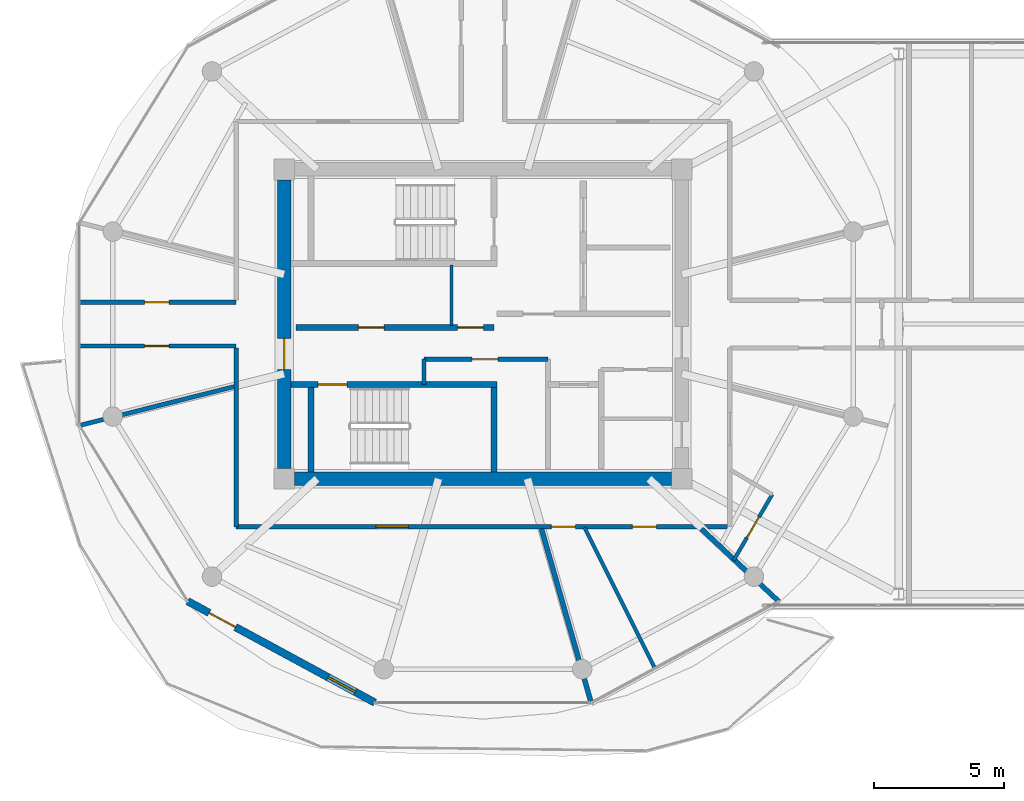
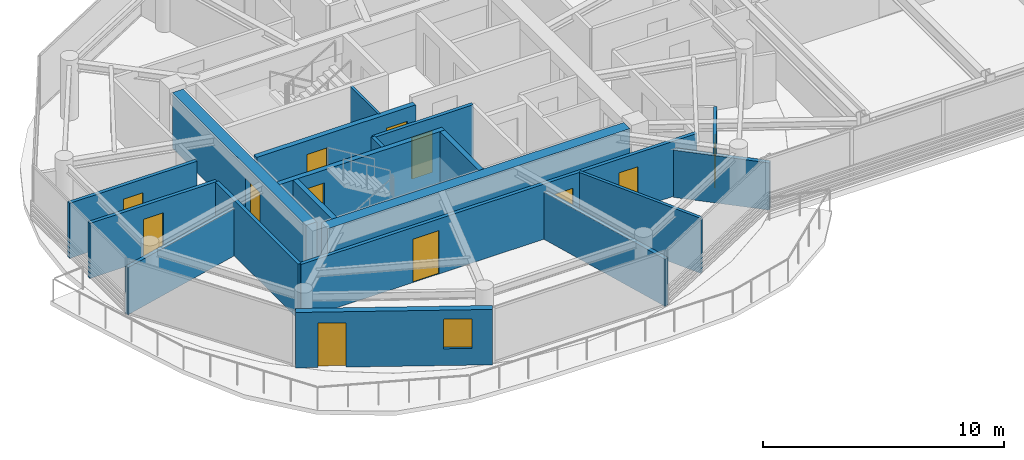
# One storey, part 14 of 23: 19 walls, 12 doors, 1 window, 13 openings.
"""IFC4 building model written with IfcOpenShell, lengths in metres."""

import ifcopenshell
import ifcopenshell.guid

model = None  # the IFC model being written
_history = None  # IfcOwnerHistory: only IFC2X3 demands one
_inside = {}  # id of a spatial element -> (the spatial element, [elements in it])
_under = {}  # id of a project, library or spatial element -> (it, [spatial elements below it])
_declared = {}  # id of a project -> (the project, [libraries it declares])
_typed = {}  # id of a type object -> (the type object, [elements of that type])
_made_of = {}  # id of a material, layer set ... -> (it, [elements and type objects made of it])


def new_model(schema):
    """Start an empty IFC model of exactly this schema.

    Asked for "IFC4X3", IfcOpenShell would pick the latest addendum, in which some entities
    have other attributes; the version numbers below select the first issue.
    IFC2X3 requires an IfcOwnerHistory on every rooted entity: one is made here for all.
    """
    global model, _history
    if schema == "IFC4X3":
        model = ifcopenshell.file(schema_version=(4, 3, 0, 0))
    else:
        model = ifcopenshell.file(schema=schema)
    _inside.clear()
    _under.clear()
    _declared.clear()
    _typed.clear()
    _made_of.clear()
    _history = None
    if model.schema == "IFC2X3":
        org = make("IfcOrganization", Name="unknown")
        user = make(
            "IfcPersonAndOrganization",
            ThePerson=make("IfcPerson", FamilyName="unknown"),
            TheOrganization=org,
        )
        app = make(
            "IfcApplication",
            ApplicationDeveloper=org,
            Version="unknown",
            ApplicationFullName="unknown",
            ApplicationIdentifier="unknown",
        )
        _history = make(
            "IfcOwnerHistory",
            OwningUser=user,
            OwningApplication=app,
            ChangeAction="ADDED",
            CreationDate=0,
        )
    return model


def make(cls, **values):
    """One entity of the class cls with the attributes given. An attribute that is None is left unset."""
    return model.create_entity(
        cls, **{name: value for name, value in values.items() if value is not None}
    )


def rooted(cls, **values):
    """An entity with a GlobalId (a new one), such as an element, a storey or a relation."""
    return make(cls, GlobalId=ifcopenshell.guid.new(), OwnerHistory=_history, **values)


def si_unit(unit_type, name, prefix=None):
    """IfcSIUnit, for example si_unit("LENGTHUNIT", "METRE", prefix="MILLI")."""
    return make("IfcSIUnit", UnitType=unit_type, Prefix=prefix, Name=name)


def assignment(units):
    """IfcUnitAssignment: the units of a project."""
    return None if units is None else make("IfcUnitAssignment", Units=units)


def point(xyz):
    """IfcCartesianPoint."""
    return None if xyz is None else make("IfcCartesianPoint", Coordinates=xyz)


def direction(xyz):
    """IfcDirection."""
    return None if xyz is None else make("IfcDirection", DirectionRatios=xyz)


def frame(location, z_axis=None, x_axis=None):
    """IfcAxis2Placement3D, a coordinate frame: its origin and axes. An axis left out is left unset."""
    return make(
        "IfcAxis2Placement3D",
        Location=point(location),
        Axis=direction(z_axis),
        RefDirection=direction(x_axis),
    )


def frame_2d(location, x_axis=None):
    """IfcAxis2Placement2D, a coordinate frame in the plane: its origin and x axis."""
    return make(
        "IfcAxis2Placement2D", Location=point(location), RefDirection=direction(x_axis)
    )


def origin():
    """The frame at (0, 0, 0) with its axes left unset."""
    return frame((0.0, 0.0, 0.0))


def place(relative_to, where):
    """IfcLocalPlacement: puts the frame where relative to a parent placement (None: the world)."""
    return make(
        "IfcLocalPlacement", PlacementRelTo=relative_to, RelativePlacement=where
    )


def context(
    kind, dimensions, precision=None, world=None, true_north=None, identifier=None
):
    """IfcGeometricRepresentationContext, for example the 3D "Model" context."""
    return make(
        "IfcGeometricRepresentationContext",
        ContextIdentifier=identifier,
        ContextType=kind,
        CoordinateSpaceDimension=dimensions,
        Precision=precision,
        WorldCoordinateSystem=world,
        TrueNorth=true_north,
    )


def subcontext(parent, identifier, kind, view, scale=None):
    """IfcGeometricRepresentationSubContext, for example "Body" below "Model"."""
    return make(
        "IfcGeometricRepresentationSubContext",
        ContextIdentifier=identifier,
        ContextType=kind,
        ParentContext=parent,
        TargetScale=scale,
        TargetView=view,
    )


def project(units=None, contexts=None):
    """IfcProject with its units and contexts."""
    return rooted(
        "IfcProject",
        Name="project",
        RepresentationContexts=contexts,
        UnitsInContext=assignment(units),
    )


def spatial(cls, under=None, at=None, **own):
    """A site, building, storey or space (cls), placed at a placement, below another one or the project."""
    s = rooted(cls, ObjectPlacement=at, **own)
    if under is not None:
        _under.setdefault(under.id(), (under, []))[1].append(s)
    return s


def profile(cls, at=None, kind="AREA", **sizes):
    """A parametric profile (cls). Its sizes go by their IFC names, for example OverallWidth=200.0."""
    return make(cls, ProfileType=kind, Position=at, **sizes)


def rectangle(**sizes):
    """IfcRectangleProfileDef."""
    return profile("IfcRectangleProfileDef", **sizes)


def extrude(swept, where, along, depth):
    """IfcExtrudedAreaSolid: the profile swept, set in the frame where, extruded along a direction by depth."""
    return make(
        "IfcExtrudedAreaSolid",
        SweptArea=swept,
        Position=where,
        ExtrudedDirection=direction(along),
        Depth=depth,
    )


def shape(context_of_items, identifier, shape_type, items):
    """IfcShapeRepresentation: the items that make up one representation, for example the "Body"."""
    return make(
        "IfcShapeRepresentation",
        ContextOfItems=context_of_items,
        RepresentationIdentifier=identifier,
        RepresentationType=shape_type,
        Items=items,
    )


def source(mapping_origin, context_of_items, identifier, shape_type, items):
    """IfcRepresentationMap: a shape defined once, which mapped items show again and again."""
    return make(
        "IfcRepresentationMap",
        MappingOrigin=mapping_origin,
        MappedRepresentation=shape(context_of_items, identifier, shape_type, items),
    )


def transform(
    local_origin,
    x_axis=None,
    y_axis=None,
    z_axis=None,
    scale=None,
    scale2=None,
    scale3=None,
    uniform=True,
):
    """IfcCartesianTransformationOperator3D, or its non-uniform kind. x_axis, y_axis, z_axis: its Axis1, 2, 3."""
    if uniform:
        return make(
            "IfcCartesianTransformationOperator3D",
            Axis1=direction(x_axis),
            Axis2=direction(y_axis),
            LocalOrigin=point(local_origin),
            Scale=scale,
            Axis3=direction(z_axis),
        )
    return make(
        "IfcCartesianTransformationOperator3DnonUniform",
        Axis1=direction(x_axis),
        Axis2=direction(y_axis),
        LocalOrigin=point(local_origin),
        Scale=scale,
        Axis3=direction(z_axis),
        Scale2=scale2,
        Scale3=scale3,
    )


def mapped(mapping_source, mapping_target):
    """IfcMappedItem: shows the shape of a source again, moved by a transform."""
    return make(
        "IfcMappedItem", MappingSource=mapping_source, MappingTarget=mapping_target
    )


def material(Name=None, Category=None):
    """IfcMaterial."""
    return make("IfcMaterial", Name=Name, Category=Category)


def layer(
    of_material, thickness, ventilated=None, Name=None, Category=None, Priority=None
):
    """IfcMaterialLayer: one layer of a wall or slab, of a material (None: an air gap)."""
    return make(
        "IfcMaterialLayer",
        Material=of_material,
        LayerThickness=thickness,
        IsVentilated=ventilated,
        Name=Name,
        Category=Category,
        Priority=Priority,
    )


def layer_set(layers, Name=None):
    """IfcMaterialLayerSet."""
    return make("IfcMaterialLayerSet", MaterialLayers=layers, LayerSetName=Name)


def made_of(thing, what):
    """Note that an element or type object is made of a material, layer set ...; save() writes the relation."""
    if what is not None:
        _made_of.setdefault(what.id(), (what, []))[1].append(thing)
    return thing


def type_object(cls, material=None, **own):
    """A type object (cls), such as IfcWallType, which elements share."""
    return made_of(rooted(cls, **own), material)


def type_shapes(of_type, sources):
    """Give a type object the sources (RepresentationMaps) that its elements show as mapped items."""
    of_type.RepresentationMaps = sources


def element(
    cls,
    number,
    at=None,
    inside=None,
    cuts=None,
    type_object=None,
    material=None,
    context=None,
    identifier="Body",
    shape_type=None,
    held_by="IfcProductDefinitionShape",
    body=None,
    shapes=None,
    **own,
):
    """One element of the class cls, such as IfcWall. Its Tag is "e" and its number.

    at: its placement. inside: the storey or other place that contains it. cuts: it is an
    opening in that element (IfcRelVoidsElement). A single representation is given by context,
    identifier, shape_type and body (its items); several are given by shapes. held_by: the class
    of the entity that holds the representations. save() writes the other relations.
    """
    e = rooted(cls, Tag="e%d" % number, ObjectPlacement=at, **own)
    if body is not None:
        shapes = [shape(context, identifier, shape_type, body)]
    if shapes is not None:
        e.Representation = make(held_by, Representations=shapes)
    if inside is not None:
        _inside.setdefault(inside.id(), (inside, []))[1].append(e)
    if cuts is not None:
        rooted(
            "IfcRelVoidsElement", RelatingBuildingElement=cuts, RelatedOpeningElement=e
        )
    if type_object is not None:
        _typed.setdefault(type_object.id(), (type_object, []))[1].append(e)
    return made_of(e, material)


def fill(opening, filler):
    """IfcRelFillsElement: the door or window that sits in an opening."""
    return rooted(
        "IfcRelFillsElement",
        RelatingOpeningElement=opening,
        RelatedBuildingElement=filler,
    )


def aggregate(whole, parts):
    """IfcRelAggregates: a whole, such as a stair, and the parts it consists of."""
    return rooted("IfcRelAggregates", RelatingObject=whole, RelatedObjects=parts)


def save(model, path):
    """Write the relations noted so far, then the file.

    IfcRelAggregates (storeys below a building ...), IfcRelContainedInSpatialStructure (elements
    in a storey), IfcRelDefinesByType, IfcRelAssociatesMaterial and IfcRelDeclares: one each for
    every whole, place, type object, material and project.
    """
    for whole, parts in _under.values():
        aggregate(whole, parts)
    for where, things in _inside.values():
        rooted(
            "IfcRelContainedInSpatialStructure",
            RelatedElements=things,
            RelatingStructure=where,
        )
    for kind, things in _typed.values():
        rooted("IfcRelDefinesByType", RelatedObjects=things, RelatingType=kind)
    for what, things in _made_of.values():
        rooted("IfcRelAssociatesMaterial", RelatedObjects=things, RelatingMaterial=what)
    for by, libraries in _declared.values():
        rooted("IfcRelDeclares", RelatingContext=by, RelatedDefinitions=libraries)
    model.write(path)


model = new_model("IFC4")

# Units and contexts
model_context = context("Model", 3, precision=1e-05, world=origin(), true_north=direction((0.0, 1.0)))
body_context = subcontext(model_context, "Body", "Model", "MODEL_VIEW")
ifc_project = project(units=[si_unit("LENGTHUNIT", "METRE"), si_unit("AREAUNIT", "SQUARE_METRE"), si_unit("VOLUMEUNIT", "CUBIC_METRE"), si_unit("PLANEANGLEUNIT", "RADIAN"), si_unit("MASSUNIT", "GRAM", prefix="KILO")], contexts=[model_context])

# Site, building, storey
site_placement = place(None, origin())
site = spatial("IfcSite", under=ifc_project, at=site_placement, CompositionType="ELEMENT")
building_placement = place(site_placement, origin())
building = spatial("IfcBuilding", under=site, at=building_placement, Name="Norrkilde Senior Care Towers", CompositionType="ELEMENT")
storey_placement = place(building_placement, frame((0.0, 0.0, 229.14990234375)))
storey = spatial("IfcBuildingStorey", under=building, at=storey_placement, Name="L71", CompositionType="ELEMENT", Elevation=229.14990234375)

# Wall
ifc_material_1 = material(Name="Concrete C50/60", Category="concrete")
ifc_layer_1 = layer(ifc_material_1, 0.52001953125)
ifc_layer_set_1 = layer_set([ifc_layer_1], Name="Concrete C50/60")
wall_type_1 = type_object("IfcWallType", Name="Core Shear Wall Z4 520", PredefinedType="SHEAR", material=ifc_layer_set_1)
shared_shape_1 = source(origin(), body_context, "Body", "SweptSolid", [
    extrude(rectangle(XDim=14.5, YDim=0.52001953125, at=frame_2d((7.25, 0.0))), origin(), (0.0, 0.0, 1.0), 2.81005859375),
])
wall_1_placement = place(storey_placement, frame((-20.75, -5.949951171875, 0.0), z_axis=(0.0, 0.0, 1.0), x_axis=(-1.0, 0.0, 0.0)))
element("IfcWall", 1, at=wall_1_placement, inside=storey, type_object=wall_type_1, Name="L71 Core W South Shear Wall", PredefinedType="SHEAR", context=body_context, shape_type="MappedRepresentation", body=[
    mapped(shared_shape_1, transform((0.0, 0.0, 0.0), x_axis=(1.0, 0.0, 0.0), y_axis=(0.0, 1.0, 0.0), z_axis=(0.0, 0.0, 1.0), scale=1.0)),
])

# Wall, opening, door
shared_shape_2 = source(origin(), body_context, "Body", "SweptSolid", [
    extrude(rectangle(XDim=11.10009765625, YDim=0.52001953125, at=frame_2d((5.550048828125, 0.0))), origin(), (0.0, 0.0, 1.0), 2.81005859375),
])
type_shapes(wall_type_1, [shared_shape_1, shared_shape_2])
wall_2_placement = place(storey_placement, frame((-35.64990234375, -5.550048828125, 0.0), z_axis=(0.0, 0.0, 1.0), x_axis=(0.0, 1.0, 0.0)))
wall_2 = element("IfcWall", 2, at=wall_2_placement, inside=storey, type_object=wall_type_1, Name="L71 Core W West Shear Wall", PredefinedType="SHEAR", context=body_context, shape_type="MappedRepresentation", body=[
    mapped(shared_shape_2, transform((0.0, 0.0, 0.0), x_axis=(1.0, 0.0, 0.0), y_axis=(0.0, 1.0, 0.0), z_axis=(0.0, 0.0, 1.0), scale=1.0)),
])
opening_1_placement = place(wall_2_placement, frame((3.800048828125, 0.0, 0.0)))
opening_1 = element("IfcOpeningElement", 3, at=opening_1_placement, cuts=wall_2, Name="Opening D-04", PredefinedType="OPENING", context=body_context, shape_type="SweptSolid", body=[
    extrude(rectangle(XDim=1.199951171875, YDim=2.14990234375, at=frame_2d((0.60009765625, 1.074951171875))), frame((0.0, 0.27001953125, 0.0), z_axis=(0.0, -1.0, 0.0), x_axis=(1.0, 0.0, 0.0)), (0.0, 0.0, 1.0), 0.5400390625),
])
ifc_material_2 = material(Name="Galvanised Painted Steel", Category="steel")
door_type_1 = type_object("IfcDoorType", Name="Firefighting Lobby Fire Door 1200x2150", OperationType="NOTDEFINED", PredefinedType="DOOR", material=ifc_material_2)
shared_shape_3 = source(origin(), body_context, "Body", "SweptSolid", [
    extrude(rectangle(XDim=1.199951171875, YDim=2.14990234375, at=frame_2d((0.60009765625, 1.074951171875))), frame((0.0, 0.02490234375, 0.0), z_axis=(0.0, -1.0, 0.0), x_axis=(1.0, 0.0, 0.0)), (0.0, 0.0, 1.0), 0.050048828125),
])
type_shapes(door_type_1, [shared_shape_3])
door_1_placement = place(opening_1_placement, frame((1.199951171875, 0.0, 0.0), z_axis=(0.0, 0.0, 1.0), x_axis=(-1.0, 0.0, 0.0)))
door_1 = element("IfcDoor", 4, at=door_1_placement, inside=storey, type_object=door_type_1, Name="L71 Core W West Portal Door", OperationType="SINGLE_SWING_LEFT", OverallHeight=2.14990234375, OverallWidth=1.199951171875, PredefinedType="DOOR", context=body_context, shape_type="MappedRepresentation", body=[
    mapped(shared_shape_3, transform((0.0, 0.0, 0.0), x_axis=(1.0, 0.0, 0.0), y_axis=(0.0, 1.0, 0.0), z_axis=(0.0, 0.0, 1.0), scale=1.0)),
])
fill(opening_1, door_1)

# Wall, openings, door, window
ifc_material_3 = material(Name="Precast concrete C45/55", Category="concrete")
ifc_layer_2 = layer(ifc_material_3, 0.2900390625)
ifc_layer_set_2 = layer_set([ifc_layer_2], Name="Precast concrete C45/55")
wall_type_2 = type_object("IfcWallType", Name="Winter Garden Facade Wall 290", PredefinedType="SOLIDWALL", material=ifc_layer_set_2)
shared_shape_4 = source(origin(), body_context, "Body", "SweptSolid", [
    extrude(rectangle(XDim=8.197265625, YDim=0.2900390625, at=frame_2d((4.0986328125, 0.0))), origin(), (0.0, 0.0, 1.0), 2.81005859375),
])
type_shapes(wall_type_2, [shared_shape_4])
wall_3_placement = place(storey_placement, frame((-32.161865234375, -14.566162109375, 0.0), z_axis=(0.0, 0.0, 1.0), x_axis=(-0.879369910001, 0.476139224791, 0.0)))
wall_3 = element("IfcWall", 5, at=wall_3_placement, inside=storey, type_object=wall_type_2, Name="L71 Drum W Balcony Access Wall 07", PredefinedType="SOLIDWALL", context=body_context, shape_type="MappedRepresentation", body=[
    mapped(shared_shape_4, transform((0.0, 0.0, 0.0), x_axis=(1.0, 0.0, 0.0), y_axis=(0.0, 1.0, 0.0), z_axis=(0.0, 0.0, 1.0), scale=1.0)),
])
opening_2_placement = place(wall_3_placement, frame((6.10009765625, 0.0, 0.0)))
opening_2 = element("IfcOpeningElement", 6, at=opening_2_placement, cuts=wall_3, Name="Opening D-09", PredefinedType="OPENING", context=body_context, shape_type="SweptSolid", body=[
    extrude(rectangle(XDim=1.14990234375, YDim=2.25, at=frame_2d((0.574951171875, 1.125))), frame((0.0, 0.155029296875, 0.0), z_axis=(0.0, -1.0, 0.0), x_axis=(1.0, 0.0, 0.0)), (0.0, 0.0, 1.0), 0.31005859375),
])
opening_3_placement = place(wall_3_placement, frame((0.85009765625, 0.0, 0.85009765625)))
opening_3 = element("IfcOpeningElement", 7, at=opening_3_placement, cuts=wall_3, Name="Opening WN-07", PredefinedType="OPENING", context=body_context, shape_type="SweptSolid", body=[
    extrude(rectangle(XDim=1.199951171875, YDim=1.5, at=frame_2d((0.60009765625, 0.75))), frame((0.0, 0.155029296875, 0.0), z_axis=(0.0, -1.0, 0.0), x_axis=(1.0, 0.0, 0.0)), (0.0, 0.0, 1.0), 0.31005859375),
])
ifc_material_4 = material(Name="Anodised Aluminium", Category="aluminium")
door_type_2 = type_object("IfcDoorType", Name="Terrace and Balcony Glazed Door 1150x2250", OperationType="NOTDEFINED", PredefinedType="DOOR", material=ifc_material_4)
shared_shape_5 = source(origin(), body_context, "Body", "SweptSolid", [
    extrude(rectangle(XDim=1.14990234375, YDim=2.25, at=frame_2d((0.574951171875, 1.125))), frame((0.0, 0.02490234375, 0.0), z_axis=(0.0, -1.0, 0.0), x_axis=(1.0, 0.0, 0.0)), (0.0, 0.0, 1.0), 0.050048828125),
])
type_shapes(door_type_2, [shared_shape_5])
door_2_placement = place(opening_2_placement, origin())
door_2 = element("IfcDoor", 8, at=door_2_placement, inside=storey, type_object=door_type_2, Name="L71 Drum W Outdoor Terrace Door 07", OperationType="SINGLE_SWING_RIGHT", OverallHeight=2.25, OverallWidth=1.14990234375, PredefinedType="DOOR", context=body_context, shape_type="MappedRepresentation", body=[
    mapped(shared_shape_5, transform((0.0, 0.0, 0.0), x_axis=(1.0, 0.0, 0.0), y_axis=(0.0, 1.0, 0.0), z_axis=(0.0, 0.0, 1.0), scale=1.0)),
])
fill(opening_2, door_2)
ifc_material_5 = material(Name="Triple Low-E Insulated Glazing", Category="glass")
window_type = type_object("IfcWindowType", Name="Stairwell Smoke Vent Window 1200x1500", PartitioningType="SINGLE_PANEL", PredefinedType="WINDOW", material=ifc_material_5)
shared_shape_6 = source(origin(), body_context, "Body", "SweptSolid", [
    extrude(rectangle(XDim=1.199951171875, YDim=1.5, at=frame_2d((0.60009765625, 0.75))), frame((0.0, 0.030029296875, 0.0), z_axis=(0.0, -1.0, 0.0), x_axis=(1.0, 0.0, 0.0)), (0.0, 0.0, 1.0), 0.06005859375),
])
type_shapes(window_type, [shared_shape_6])
window_placement = place(opening_3_placement, origin())
window = element("IfcWindow", 9, at=window_placement, inside=storey, type_object=window_type, Name="L71 Drum W Winter Garden Window 07", OverallHeight=1.5, OverallWidth=1.199951171875, PartitioningType="SINGLE_PANEL", PredefinedType="WINDOW", context=body_context, shape_type="MappedRepresentation", body=[
    mapped(shared_shape_6, transform((0.0, 0.0, 0.0), x_axis=(1.0, 0.0, 0.0), y_axis=(0.0, 1.0, 0.0), z_axis=(0.0, 0.0, 1.0), scale=1.0)),
])
fill(opening_3, window)

# Wall, openings, doors
ifc_material_6 = material(Name="Concrete C45/55", Category="concrete")
ifc_layer_3 = layer(ifc_material_6, 0.239990234375)
ifc_layer_set_3 = layer_set([ifc_layer_3], Name="Concrete C45/55")
wall_type_3 = type_object("IfcWallType", Name="Lift and Plant Rated Enclosure Partition 240", PredefinedType="PARTITIONING", material=ifc_layer_set_3)
shared_shape_7 = source(origin(), body_context, "Body", "SweptSolid", [
    extrude(rectangle(XDim=7.619873046875, YDim=0.239990234375, at=frame_2d((3.81005859375, 0.0))), origin(), (0.0, 0.0, 1.0), 2.795166015625),
])
type_shapes(wall_type_3, [shared_shape_7])
wall_4_placement = place(storey_placement, frame((-35.199951171875, -0.1298828125, 0.0), z_axis=(0.0, 0.0, 1.0), x_axis=(1.0, 0.0, 0.0)))
wall_4 = element("IfcWall", 10, at=wall_4_placement, inside=storey, type_object=wall_type_3, Name="WL-INT-L71-W-PKAS", PredefinedType="PARTITIONING", context=body_context, shape_type="MappedRepresentation", body=[
    mapped(shared_shape_7, transform((0.0, 0.0, 0.0), x_axis=(1.0, 0.0, 0.0), y_axis=(0.0, 1.0, 0.0), z_axis=(0.0, 0.0, 1.0), scale=1.0)),
])
opening_4_placement = place(wall_4_placement, frame((6.219970703125, 0.0, 0.0)))
opening_4 = element("IfcOpeningElement", 11, at=opening_4_placement, cuts=wall_4, Name="Opening D-10", PredefinedType="OPENING", context=body_context, shape_type="SweptSolid", body=[
    extrude(rectangle(XDim=1.0, YDim=2.10009765625, at=frame_2d((0.5, 1.050048828125))), frame((0.0, 0.1298828125, 0.0), z_axis=(0.0, -1.0, 0.0), x_axis=(1.0, 0.0, 0.0)), (0.0, 0.0, 1.0), 0.260009765625),
])
opening_5_placement = place(wall_4_placement, frame((2.39990234375, 0.0, 0.0)))
opening_5 = element("IfcOpeningElement", 12, at=opening_5_placement, cuts=wall_4, Name="Opening D-10", PredefinedType="OPENING", context=body_context, shape_type="SweptSolid", body=[
    extrude(rectangle(XDim=1.0, YDim=2.10009765625, at=frame_2d((0.5, 1.050048828125))), frame((0.0, 0.1298828125, 0.0), z_axis=(0.0, -1.0, 0.0), x_axis=(1.0, 0.0, 0.0)), (0.0, 0.0, 1.0), 0.260009765625),
])
door_type_3 = type_object("IfcDoorType", Name="Plant and Riser Rated Door 1000x2100", OperationType="NOTDEFINED", PredefinedType="DOOR", material=ifc_material_2)
shared_shape_8 = source(origin(), body_context, "Body", "SweptSolid", [
    extrude(rectangle(XDim=1.0, YDim=2.10009765625, at=frame_2d((0.5, 1.050048828125))), frame((0.0, 0.02490234375, 0.0), z_axis=(0.0, -1.0, 0.0), x_axis=(1.0, 0.0, 0.0)), (0.0, 0.0, 1.0), 0.050048828125),
])
type_shapes(door_type_3, [shared_shape_8])
door_3_placement = place(opening_4_placement, frame((1.0, 0.0, 0.0), z_axis=(0.0, 0.0, 1.0), x_axis=(-1.0, 0.0, 0.0)))
door_3 = element("IfcDoor", 13, at=door_3_placement, inside=storey, type_object=door_type_3, Name="L71 Electrical Riser W Door", OperationType="SINGLE_SWING_LEFT", OverallHeight=2.10009765625, OverallWidth=1.0, PredefinedType="DOOR", context=body_context, shape_type="MappedRepresentation", body=[
    mapped(shared_shape_8, transform((0.0, 0.0, 0.0), x_axis=(1.0, 0.0, 0.0), y_axis=(0.0, 1.0, 0.0), z_axis=(0.0, 0.0, 1.0), scale=1.0)),
])
fill(opening_4, door_3)
door_4_placement = place(opening_5_placement, frame((1.0, 0.0, 0.0), z_axis=(0.0, 0.0, 1.0), x_axis=(-1.0, 0.0, 0.0)))
door_4 = element("IfcDoor", 14, at=door_4_placement, inside=storey, type_object=door_type_3, Name="L71 Clean Supply Store W Door", OperationType="SINGLE_SWING_LEFT", OverallHeight=2.10009765625, OverallWidth=1.0, PredefinedType="DOOR", context=body_context, shape_type="MappedRepresentation", body=[
    mapped(shared_shape_8, transform((0.0, 0.0, 0.0), x_axis=(1.0, 0.0, 0.0), y_axis=(0.0, 1.0, 0.0), z_axis=(0.0, 0.0, 1.0), scale=1.0)),
])
fill(opening_5, door_4)

# Wall
ifc_material_7 = material(Name="Gypsum Acoustic Board")
ifc_layer_4 = layer(ifc_material_7, 0.114990234375)
ifc_layer_set_4 = layer_set([ifc_layer_4], Name="Gypsum Acoustic Board")
wall_type_4 = type_object("IfcWallType", Name="Internal Room Partition 115", PredefinedType="PARTITIONING", material=ifc_layer_set_4)
shared_shape_9 = source(origin(), body_context, "Body", "SweptSolid", [
    extrude(rectangle(XDim=2.330078125, YDim=0.114990234375, at=frame_2d((1.1650390625, 0.0))), origin(), (0.0, 0.0, 1.0), 2.795166015625),
])
type_shapes(wall_type_4, [shared_shape_9])
wall_5_placement = place(storey_placement, frame((-29.2099609375, -0.050048828125, 0.0), z_axis=(0.0, 0.0, 1.0), x_axis=(0.0, 1.0, 0.0)))
element("IfcWall", 15, at=wall_5_placement, inside=storey, type_object=wall_type_4, Name="WL-INT-L71-W-RISW", PredefinedType="PARTITIONING", context=body_context, shape_type="MappedRepresentation", body=[
    mapped(shared_shape_9, transform((0.0, 0.0, 0.0), x_axis=(1.0, 0.0, 0.0), y_axis=(0.0, 1.0, 0.0), z_axis=(0.0, 0.0, 1.0), scale=1.0)),
])

# Wall, openings, doors
ifc_layer_5 = layer(ifc_material_7, 0.1650390625)
ifc_layer_set_5 = layer_set([ifc_layer_5], Name="Gypsum Acoustic Board")
wall_type_5 = type_object("IfcWallType", Name="Corridor Rated Partition 165", PredefinedType="PARTITIONING", material=ifc_layer_set_5)
shared_shape_10 = source(origin(), body_context, "Body", "SweptSolid", [
    extrude(rectangle(XDim=19.0, YDim=0.1650390625, at=frame_2d((9.5, 0.0))), origin(), (0.0, 0.0, 1.0), 2.795166015625),
])
wall_6_placement = place(storey_placement, frame((-18.5, -7.800048828125, 0.0), z_axis=(0.0, 0.0, 1.0), x_axis=(-1.0, 0.0, 0.0)))
wall_6 = element("IfcWall", 16, at=wall_6_placement, inside=storey, type_object=wall_type_5, Name="WL-INT-L71-W-CRW-S-0", PredefinedType="PARTITIONING", context=body_context, shape_type="MappedRepresentation", body=[
    mapped(shared_shape_10, transform((0.0, 0.0, 0.0), x_axis=(1.0, 0.0, 0.0), y_axis=(0.0, 1.0, 0.0), z_axis=(0.0, 0.0, 1.0), scale=1.0)),
])
opening_6_placement = place(wall_6_placement, frame((12.373291015625, 0.0, 0.0)))
opening_6 = element("IfcOpeningElement", 17, at=opening_6_placement, cuts=wall_6, Name="Opening D-05", PredefinedType="OPENING", context=body_context, shape_type="SweptSolid", body=[
    extrude(rectangle(XDim=1.25, YDim=2.199951171875, at=frame_2d((0.625, 1.10009765625))), frame((0.0, 0.092529296875, 0.0), z_axis=(0.0, -1.0, 0.0), x_axis=(1.0, 0.0, 0.0)), (0.0, 0.0, 1.0), 0.18505859375),
])
opening_7_placement = place(wall_6_placement, frame((5.94580078125, 0.0, 0.0)))
opening_7 = element("IfcOpeningElement", 18, at=opening_7_placement, cuts=wall_6, Name="Opening D-08", PredefinedType="OPENING", context=body_context, shape_type="SweptSolid", body=[
    extrude(rectangle(XDim=0.919921875, YDim=2.10009765625, at=frame_2d((0.4599609375, 1.050048828125))), frame((0.0, 0.092529296875, 0.0), z_axis=(0.0, -1.0, 0.0), x_axis=(1.0, 0.0, 0.0)), (0.0, 0.0, 1.0), 0.18505859375),
])
opening_8_placement = place(wall_6_placement, frame((2.830322265625, 0.0, 0.0)))
opening_8 = element("IfcOpeningElement", 19, at=opening_8_placement, cuts=wall_6, Name="Opening D-08", PredefinedType="OPENING", context=body_context, shape_type="SweptSolid", body=[
    extrude(rectangle(XDim=0.919921875, YDim=2.10009765625, at=frame_2d((0.4599609375, 1.050048828125))), frame((0.0, 0.092529296875, 0.0), z_axis=(0.0, -1.0, 0.0), x_axis=(1.0, 0.0, 0.0)), (0.0, 0.0, 1.0), 0.18505859375),
])
ifc_material_8 = material(Name="Nordic Ash Timber", Category="wood")
door_type_4 = type_object("IfcDoorType", Name="Care Bedroom Bariatric Door 1250x2200", OperationType="NOTDEFINED", PredefinedType="DOOR", material=ifc_material_8)
shared_shape_11 = source(origin(), body_context, "Body", "SweptSolid", [
    extrude(rectangle(XDim=1.25, YDim=2.199951171875, at=frame_2d((0.625, 1.10009765625))), frame((0.0, 0.02490234375, 0.0), z_axis=(0.0, -1.0, 0.0), x_axis=(1.0, 0.0, 0.0)), (0.0, 0.0, 1.0), 0.050048828125),
])
type_shapes(door_type_4, [shared_shape_11])
door_5_placement = place(opening_6_placement, frame((1.25, 0.0, 0.0), z_axis=(0.0, 0.0, 1.0), x_axis=(-1.0, 0.0, 0.0)))
door_5 = element("IfcDoor", 20, at=door_5_placement, inside=storey, type_object=door_type_4, Name="L71 Resident Therapeutic Day Lounge Door", OperationType="SINGLE_SWING_LEFT", OverallHeight=2.199951171875, OverallWidth=1.25, PredefinedType="DOOR", context=body_context, shape_type="MappedRepresentation", body=[
    mapped(shared_shape_11, transform((0.0, 0.0, 0.0), x_axis=(1.0, 0.0, 0.0), y_axis=(0.0, 1.0, 0.0), z_axis=(0.0, 0.0, 1.0), scale=1.0)),
])
fill(opening_6, door_5)
door_type_5 = type_object("IfcDoorType", Name="Accessible Wet Room Door 920x2100", OperationType="NOTDEFINED", PredefinedType="DOOR", material=ifc_material_8)
shared_shape_12 = source(origin(), body_context, "Body", "SweptSolid", [
    extrude(rectangle(XDim=0.919921875, YDim=2.10009765625, at=frame_2d((0.4599609375, 1.050048828125))), frame((0.0, 0.02490234375, 0.0), z_axis=(0.0, -1.0, 0.0), x_axis=(1.0, 0.0, 0.0)), (0.0, 0.0, 1.0), 0.050048828125),
])
type_shapes(door_type_5, [shared_shape_12])
door_6_placement = place(opening_7_placement, frame((0.919921875, 0.0, 0.0), z_axis=(0.0, 0.0, 1.0), x_axis=(-1.0, 0.0, 0.0)))
door_6 = element("IfcDoor", 21, at=door_6_placement, inside=storey, type_object=door_type_5, Name="L71 Accessible Restroom Door", OperationType="SINGLE_SWING_RIGHT", OverallHeight=2.10009765625, OverallWidth=0.919921875, PredefinedType="DOOR", context=body_context, shape_type="MappedRepresentation", body=[
    mapped(shared_shape_12, transform((0.0, 0.0, 0.0), x_axis=(1.0, 0.0, 0.0), y_axis=(0.0, 1.0, 0.0), z_axis=(0.0, 0.0, 1.0), scale=1.0)),
])
fill(opening_7, door_6)
door_7_placement = place(opening_8_placement, frame((0.919921875, 0.0, 0.0), z_axis=(0.0, 0.0, 1.0), x_axis=(-1.0, 0.0, 0.0)))
door_7 = element("IfcDoor", 22, at=door_7_placement, inside=storey, type_object=door_type_5, Name="L71 Public Restroom Door", OperationType="SINGLE_SWING_LEFT", OverallHeight=2.10009765625, OverallWidth=0.919921875, PredefinedType="DOOR", context=body_context, shape_type="MappedRepresentation", body=[
    mapped(shared_shape_12, transform((0.0, 0.0, 0.0), x_axis=(1.0, 0.0, 0.0), y_axis=(0.0, 1.0, 0.0), z_axis=(0.0, 0.0, 1.0), scale=1.0)),
])
fill(opening_8, door_7)

# Wall
shared_shape_13 = source(origin(), body_context, "Body", "SweptSolid", [
    extrude(rectangle(XDim=6.880126953125, YDim=0.1650390625, at=frame_2d((3.43994140625, 0.0))), origin(), (0.0, 0.0, 1.0), 2.795166015625),
])
wall_7_placement = place(storey_placement, frame((-37.5, -7.800048828125, 0.0), z_axis=(0.0, 0.0, 1.0), x_axis=(0.0, 1.0, 0.0)))
element("IfcWall", 23, at=wall_7_placement, inside=storey, type_object=wall_type_5, Name="WL-INT-L71-W-CRW-W-0", PredefinedType="PARTITIONING", context=body_context, shape_type="MappedRepresentation", body=[
    mapped(shared_shape_13, transform((0.0, 0.0, 0.0), x_axis=(1.0, 0.0, 0.0), y_axis=(0.0, 1.0, 0.0), z_axis=(0.0, 0.0, 1.0), scale=1.0)),
])

# Wall, opening, door
shared_shape_14 = source(origin(), body_context, "Body", "SweptSolid", [
    extrude(rectangle(XDim=4.77001953125, YDim=0.1650390625, at=frame_2d((2.385009765625, 0.0))), origin(), (0.0, 0.0, 1.0), 2.795166015625),
])
wall_8_placement = place(storey_placement, frame((-30.27001953125, -1.35009765625, 0.0), z_axis=(0.0, 0.0, 1.0), x_axis=(1.0, 0.0, 0.0)))
wall_8 = element("IfcWall", 24, at=wall_8_placement, inside=storey, type_object=wall_type_5, Name="WL-INT-L71-W-FR2N", PredefinedType="PARTITIONING", context=body_context, shape_type="MappedRepresentation", body=[
    mapped(shared_shape_14, transform((0.0, 0.0, 0.0), x_axis=(1.0, 0.0, 0.0), y_axis=(0.0, 1.0, 0.0), z_axis=(0.0, 0.0, 1.0), scale=1.0)),
])
opening_9_placement = place(wall_8_placement, frame((1.85009765625, 0.0, 0.0)))
opening_9 = element("IfcOpeningElement", 25, at=opening_9_placement, cuts=wall_8, Name="Opening D-10", PredefinedType="OPENING", context=body_context, shape_type="SweptSolid", body=[
    extrude(rectangle(XDim=1.0, YDim=2.10009765625, at=frame_2d((0.5, 1.050048828125))), frame((0.0, 0.092529296875, 0.0), z_axis=(0.0, -1.0, 0.0), x_axis=(1.0, 0.0, 0.0)), (0.0, 0.0, 1.0), 0.18505859375),
])
door_8_placement = place(opening_9_placement, origin())
door_8 = element("IfcDoor", 26, at=door_8_placement, inside=storey, type_object=door_type_3, Name="L71 Core Pantry W Door", OperationType="SINGLE_SWING_RIGHT", OverallHeight=2.10009765625, OverallWidth=1.0, PredefinedType="DOOR", context=body_context, shape_type="MappedRepresentation", body=[
    mapped(shared_shape_8, transform((0.0, 0.0, 0.0), x_axis=(1.0, 0.0, 0.0), y_axis=(0.0, 1.0, 0.0), z_axis=(0.0, 0.0, 1.0), scale=1.0)),
])
fill(opening_9, door_8)

# Wall
shared_shape_15 = source(origin(), body_context, "Body", "SweptSolid", [
    extrude(rectangle(XDim=0.97998046875, YDim=0.1650390625, at=frame_2d((0.489990234375, 0.0))), origin(), (0.0, 0.0, 1.0), 2.795166015625),
])
wall_9_placement = place(storey_placement, frame((-30.27001953125, -2.330078125, 0.0), z_axis=(0.0, 0.0, 1.0), x_axis=(0.0, 1.0, 0.0)))
element("IfcWall", 27, at=wall_9_placement, inside=storey, type_object=wall_type_5, Name="WL-INT-L71-W-FR2W", PredefinedType="PARTITIONING", context=body_context, shape_type="MappedRepresentation", body=[
    mapped(shared_shape_15, transform((0.0, 0.0, 0.0), x_axis=(1.0, 0.0, 0.0), y_axis=(0.0, 1.0, 0.0), z_axis=(0.0, 0.0, 1.0), scale=1.0)),
])

# Wall, opening, door
ifc_layer_6 = layer(ifc_material_6, 0.239990234375)
ifc_layer_set_6 = layer_set([ifc_layer_6], Name="Concrete C45/55")
wall_type_6 = type_object("IfcWallType", Name="Shaft and Stair Enclosure Wall 240", PredefinedType="PARTITIONING", material=ifc_layer_set_6)
shared_shape_16 = source(origin(), body_context, "Body", "SweptSolid", [
    extrude(rectangle(XDim=7.929931640625, YDim=0.239990234375, at=frame_2d((3.96484375, 0.0))), origin(), (0.0, 0.0, 1.0), 2.81005859375),
])
wall_10_placement = place(storey_placement, frame((-35.389892578125, -2.330078125, 0.0), z_axis=(0.0, 0.0, 1.0), x_axis=(1.0, 0.0, 0.0)))
wall_10 = element("IfcWall", 28, at=wall_10_placement, inside=storey, type_object=wall_type_6, Name="WL-INT-L71-W-ST2N", PredefinedType="PARTITIONING", context=body_context, shape_type="MappedRepresentation", body=[
    mapped(shared_shape_16, transform((0.0, 0.0, 0.0), x_axis=(1.0, 0.0, 0.0), y_axis=(0.0, 1.0, 0.0), z_axis=(0.0, 0.0, 1.0), scale=1.0)),
])
opening_10_placement = place(wall_10_placement, frame((1.050048828125, 0.0, 0.0)))
opening_10 = element("IfcOpeningElement", 29, at=opening_10_placement, cuts=wall_10, Name="Opening D-03", PredefinedType="OPENING", context=body_context, shape_type="SweptSolid", body=[
    extrude(rectangle(XDim=1.10009765625, YDim=2.14990234375, at=frame_2d((0.550048828125, 1.074951171875))), frame((0.0, 0.1298828125, 0.0), z_axis=(0.0, -1.0, 0.0), x_axis=(1.0, 0.0, 0.0)), (0.0, 0.0, 1.0), 0.260009765625),
])
door_type_6 = type_object("IfcDoorType", Name="Stairwell Protected Fire Door 1100x2150", OperationType="NOTDEFINED", PredefinedType="DOOR", material=ifc_material_2)
shared_shape_17 = source(origin(), body_context, "Body", "SweptSolid", [
    extrude(rectangle(XDim=1.10009765625, YDim=2.14990234375, at=frame_2d((0.550048828125, 1.074951171875))), frame((0.0, 0.02490234375, 0.0), z_axis=(0.0, -1.0, 0.0), x_axis=(1.0, 0.0, 0.0)), (0.0, 0.0, 1.0), 0.050048828125),
])
type_shapes(door_type_6, [shared_shape_17])
door_9_placement = place(opening_10_placement, frame((1.10009765625, 0.0, 0.0), z_axis=(0.0, 0.0, 1.0), x_axis=(-1.0, 0.0, 0.0)))
door_9 = element("IfcDoor", 30, at=door_9_placement, inside=storey, type_object=door_type_6, Name="L71 Stair W2 Fire Door", OperationType="SINGLE_SWING_RIGHT", OverallHeight=2.14990234375, OverallWidth=1.10009765625, PredefinedType="DOOR", context=body_context, shape_type="MappedRepresentation", body=[
    mapped(shared_shape_17, transform((0.0, 0.0, 0.0), x_axis=(1.0, 0.0, 0.0), y_axis=(0.0, 1.0, 0.0), z_axis=(0.0, 0.0, 1.0), scale=1.0)),
])
fill(opening_10, door_9)

# Walls
shared_shape_18 = source(origin(), body_context, "Body", "SweptSolid", [
    extrude(rectangle(XDim=3.239990234375, YDim=0.239990234375, at=frame_2d((1.6201171875, 0.0))), origin(), (0.0, 0.0, 1.0), 2.81005859375),
])
type_shapes(wall_type_6, [shared_shape_16, shared_shape_18])
for number, where, z_axis, x_axis, name in (
    (31, (-34.6201171875, -5.68994140625, 0.0), (0.0, 0.0, 1.0), (0.0, 1.0, 0.0), "WL-INT-L71-W-ST2W"),
    (32, (-27.580078125, -5.68994140625, 0.0), (0.0, 0.0, 1.0), (0.0, 1.0, 0.0), "WL-INT-L71-W-ST2E"),
):
    element("IfcWall", number, at=place(storey_placement, frame(where, z_axis=z_axis, x_axis=x_axis)), inside=storey, type_object=wall_type_6, Name=name, PredefinedType="PARTITIONING", context=body_context, shape_type="MappedRepresentation", body=[
        mapped(shared_shape_18, transform((0.0, 0.0, 0.0), x_axis=(1.0, 0.0, 0.0), y_axis=(0.0, 1.0, 0.0), z_axis=(0.0, 0.0, 1.0), scale=1.0)),
    ])
shared_shape_19 = source(origin(), body_context, "Body", "SweptSolid", [
    extrude(rectangle(XDim=6.1572265625, YDim=0.1650390625, at=frame_2d((3.07861328125, 0.0))), origin(), (0.0, 0.0, 1.0), 2.39501953125),
])
wall_11_placement = place(storey_placement, frame((-37.580078125, -2.407470703125, 0.0), z_axis=(0.0, 0.0, 1.0), x_axis=(-0.969840867184, -0.243738984038, 0.0)))
element("IfcWall", 33, at=wall_11_placement, inside=storey, type_object=wall_type_5, Name="WL-INT-L71-W-DEM-06-0", PredefinedType="PARTITIONING", context=body_context, shape_type="MappedRepresentation", body=[
    mapped(shared_shape_19, transform((0.0, 0.0, 0.0), x_axis=(1.0, 0.0, 0.0), y_axis=(0.0, 1.0, 0.0), z_axis=(0.0, 0.0, 1.0), scale=1.0)),
])

# Wall, opening, door
shared_shape_20 = source(origin(), body_context, "Body", "SweptSolid", [
    extrude(rectangle(XDim=6.101318359375, YDim=0.1650390625, at=frame_2d((3.05078125, 0.0))), origin(), (0.0, 0.0, 1.0), 2.795166015625),
])
type_shapes(wall_type_5, [shared_shape_10, shared_shape_13, shared_shape_14, shared_shape_15, shared_shape_19, shared_shape_20])
wall_12_placement = place(storey_placement, frame((-43.601318359375, 0.840087890625, 0.0), z_axis=(0.0, 0.0, 1.0), x_axis=(1.0, 0.0, 0.0)))
wall_12 = element("IfcWall", 34, at=wall_12_placement, inside=storey, type_object=wall_type_5, Name="WL-INT-L71-W-SPK-W1-0", PredefinedType="PARTITIONING", context=body_context, shape_type="MappedRepresentation", body=[
    mapped(shared_shape_20, transform((0.0, 0.0, 0.0), x_axis=(1.0, 0.0, 0.0), y_axis=(0.0, 1.0, 0.0), z_axis=(0.0, 0.0, 1.0), scale=1.0)),
])
opening_11_placement = place(wall_12_placement, frame((2.57568359375, 0.0, 0.0)))
opening_11 = element("IfcOpeningElement", 35, at=opening_11_placement, cuts=wall_12, Name="Opening D-07", PredefinedType="OPENING", context=body_context, shape_type="SweptSolid", body=[
    extrude(rectangle(XDim=0.949951171875, YDim=2.10009765625, at=frame_2d((0.47509765625, 1.050048828125))), frame((0.0, 0.092529296875, 0.0), z_axis=(0.0, -1.0, 0.0), x_axis=(1.0, 0.0, 0.0)), (0.0, 0.0, 1.0), 0.18505859375),
])
door_type_7 = type_object("IfcDoorType", Name="Internal Suite Bedroom Door 950x2100", OperationType="NOTDEFINED", PredefinedType="DOOR", material=ifc_material_8)
shared_shape_21 = source(origin(), body_context, "Body", "SweptSolid", [
    extrude(rectangle(XDim=0.949951171875, YDim=2.10009765625, at=frame_2d((0.47509765625, 1.050048828125))), frame((0.0, 0.02490234375, 0.0), z_axis=(0.0, -1.0, 0.0), x_axis=(1.0, 0.0, 0.0)), (0.0, 0.0, 1.0), 0.050048828125),
])
type_shapes(door_type_7, [shared_shape_21])
door_10_placement = place(opening_11_placement, frame((0.949951171875, 0.0, 0.0), z_axis=(0.0, 0.0, 1.0), x_axis=(-1.0, 0.0, 0.0)))
door_10 = element("IfcDoor", 36, at=door_10_placement, inside=storey, type_object=door_type_7, Name="L71 Sun Reading Lounge 2 Door", OperationType="SINGLE_SWING_LEFT", OverallHeight=2.10009765625, OverallWidth=0.949951171875, PredefinedType="DOOR", context=body_context, shape_type="MappedRepresentation", body=[
    mapped(shared_shape_21, transform((0.0, 0.0, 0.0), x_axis=(1.0, 0.0, 0.0), y_axis=(0.0, 1.0, 0.0), z_axis=(0.0, 0.0, 1.0), scale=1.0)),
])
fill(opening_11, door_10)

wall_13_placement = place(storey_placement, frame((-37.5, -0.840087890625, 0.0), z_axis=(0.0, 0.0, 1.0), x_axis=(-1.0, 0.0, 0.0)))
wall_13 = element("IfcWall", 37, at=wall_13_placement, inside=storey, type_object=wall_type_5, Name="WL-INT-L71-W-SPK-W2-0", PredefinedType="PARTITIONING", context=body_context, shape_type="MappedRepresentation", body=[
    mapped(shared_shape_20, transform((0.0, 0.0, 0.0), x_axis=(1.0, 0.0, 0.0), y_axis=(0.0, 1.0, 0.0), z_axis=(0.0, 0.0, 1.0), scale=1.0)),
])
opening_12_placement = place(wall_13_placement, frame((2.57568359375, 0.0, 0.0)))
opening_12 = element("IfcOpeningElement", 38, at=opening_12_placement, cuts=wall_13, Name="Opening D-07", PredefinedType="OPENING", context=body_context, shape_type="SweptSolid", body=[
    extrude(rectangle(XDim=0.949951171875, YDim=2.10009765625, at=frame_2d((0.47509765625, 1.050048828125))), frame((0.0, 0.092529296875, 0.0), z_axis=(0.0, -1.0, 0.0), x_axis=(1.0, 0.0, 0.0)), (0.0, 0.0, 1.0), 0.18505859375),
])
door_11_placement = place(opening_12_placement, frame((0.949951171875, 0.0, 0.0), z_axis=(0.0, 0.0, 1.0), x_axis=(-1.0, 0.0, 0.0)))
door_11 = element("IfcDoor", 39, at=door_11_placement, inside=storey, type_object=door_type_7, Name="L71 Sun Reading Lounge 1 Door", OperationType="SINGLE_SWING_RIGHT", OverallHeight=2.10009765625, OverallWidth=0.949951171875, PredefinedType="DOOR", context=body_context, shape_type="MappedRepresentation", body=[
    mapped(shared_shape_21, transform((0.0, 0.0, 0.0), x_axis=(1.0, 0.0, 0.0), y_axis=(0.0, 1.0, 0.0), z_axis=(0.0, 0.0, 1.0), scale=1.0)),
])
fill(opening_12, door_11)

# Walls
ifc_layer_7 = layer(ifc_material_7, 0.18994140625)
ifc_layer_set_7 = layer_set([ifc_layer_7], Name="Gypsum Acoustic Board")
wall_type_7 = type_object("IfcWallType", Name="Unit Demising Acoustic Wall 190", PredefinedType="PARTITIONING", material=ifc_layer_set_7)
shared_shape_22 = source(origin(), body_context, "Body", "SweptSolid", [
    extrude(rectangle(XDim=4.089111328125, YDim=0.18994140625, at=frame_2d((2.04443359375, 0.0))), origin(), (0.0, 0.0, 1.0), 2.39501953125),
])
wall_14_placement = place(storey_placement, frame((-19.59814453125, -7.8798828125, 0.0), z_axis=(0.0, 0.0, 1.0), x_axis=(0.729401273609, -0.684086092577, 0.0)))
element("IfcWall", 40, at=wall_14_placement, inside=storey, type_object=wall_type_7, Name="WL-INT-L71-W-DEM-10-0", PredefinedType="PARTITIONING", context=body_context, shape_type="MappedRepresentation", body=[
    mapped(shared_shape_22, transform((0.0, 0.0, 0.0), x_axis=(1.0, 0.0, 0.0), y_axis=(0.0, 1.0, 0.0), z_axis=(0.0, 0.0, 1.0), scale=1.0)),
])
shared_shape_23 = source(origin(), body_context, "Body", "SweptSolid", [
    extrude(rectangle(XDim=6.973876953125, YDim=0.18994140625, at=frame_2d((3.48681640625, 0.0))), origin(), (0.0, 0.0, 1.0), 2.39501953125),
])
type_shapes(wall_type_7, [shared_shape_22, shared_shape_23])
wall_15_placement = place(storey_placement, frame((-25.748779296875, -7.8798828125, 0.0), z_axis=(0.0, 0.0, 1.0), x_axis=(0.274707256801, -0.961527910703, 0.0)))
element("IfcWall", 41, at=wall_15_placement, inside=storey, type_object=wall_type_7, Name="WL-INT-L71-W-DEM-09-0", PredefinedType="PARTITIONING", context=body_context, shape_type="MappedRepresentation", body=[
    mapped(shared_shape_23, transform((0.0, 0.0, 0.0), x_axis=(1.0, 0.0, 0.0), y_axis=(0.0, 1.0, 0.0), z_axis=(0.0, 0.0, 1.0), scale=1.0)),
])
ifc_layer_8 = layer(ifc_material_7, 0.139892578125)
ifc_layer_set_8 = layer_set([ifc_layer_8], Name="Gypsum Acoustic Board")
wall_type_8 = type_object("IfcWallType", Name="En-suite Wet Room Wall 140", PredefinedType="PARTITIONING", material=ifc_layer_set_8)
shared_shape_24 = source(origin(), body_context, "Body", "SweptSolid", [
    extrude(rectangle(XDim=6.067138671875, YDim=0.139892578125, at=frame_2d((3.03369140625, 0.0))), origin(), (0.0, 0.0, 1.0), 2.795166015625),
])
wall_16_placement = place(storey_placement, frame((-24.0927734375, -7.830078125, 0.0), z_axis=(0.0, 0.0, 1.0), x_axis=(0.447261882231, -0.894403046005, 0.0)))
element("IfcWall", 42, at=wall_16_placement, inside=storey, type_object=wall_type_8, Name="WL-INT-L71-W-MID-09", PredefinedType="PARTITIONING", context=body_context, shape_type="MappedRepresentation", body=[
    mapped(shared_shape_24, transform((0.0, 0.0, 0.0), x_axis=(1.0, 0.0, 0.0), y_axis=(0.0, 1.0, 0.0), z_axis=(0.0, 0.0, 1.0), scale=1.0)),
])

# Wall, opening, door
shared_shape_25 = source(origin(), body_context, "Body", "SweptSolid", [
    extrude(rectangle(XDim=2.939453125, YDim=0.139892578125, at=frame_2d((1.4697265625, 0.0))), origin(), (0.0, 0.0, 1.0), 2.795166015625),
])
type_shapes(wall_type_8, [shared_shape_24, shared_shape_25])
wall_17_placement = place(storey_placement, frame((-16.8681640625, -6.559326171875, 0.0), z_axis=(0.0, 0.0, 1.0), x_axis=(-0.505883614636, -0.862601743821, 0.0)))
wall_17 = element("IfcWall", 43, at=wall_17_placement, inside=storey, type_object=wall_type_8, Name="WL-INT-L71-W-EF-10", PredefinedType="PARTITIONING", context=body_context, shape_type="MappedRepresentation", body=[
    mapped(shared_shape_25, transform((0.0, 0.0, 0.0), x_axis=(1.0, 0.0, 0.0), y_axis=(0.0, 1.0, 0.0), z_axis=(0.0, 0.0, 1.0), scale=1.0)),
])
opening_13_placement = place(wall_17_placement, frame((1.009765625, 0.0, 0.0)))
opening_13 = element("IfcOpeningElement", 44, at=opening_13_placement, cuts=wall_17, Name="Opening D-08", PredefinedType="OPENING", context=body_context, shape_type="SweptSolid", body=[
    extrude(rectangle(XDim=0.919921875, YDim=2.10009765625, at=frame_2d((0.4599609375, 1.050048828125))), frame((0.0, 0.079833984375, 0.0), z_axis=(0.0, -1.0, 0.0), x_axis=(1.0, 0.0, 0.0)), (0.0, 0.0, 1.0), 0.159912109375),
])
door_12_placement = place(opening_13_placement, origin())
door_12 = element("IfcDoor", 45, at=door_12_placement, inside=storey, type_object=door_type_5, Name="L71 Care Suite 7110 Bathroom Door", OperationType="SINGLE_SWING_RIGHT", OverallHeight=2.10009765625, OverallWidth=0.919921875, PredefinedType="DOOR", context=body_context, shape_type="MappedRepresentation", body=[
    mapped(shared_shape_12, transform((0.0, 0.0, 0.0), x_axis=(1.0, 0.0, 0.0), y_axis=(0.0, 1.0, 0.0), z_axis=(0.0, 0.0, 1.0), scale=1.0)),
])
fill(opening_13, door_12)

save(model, "model.ifc")
